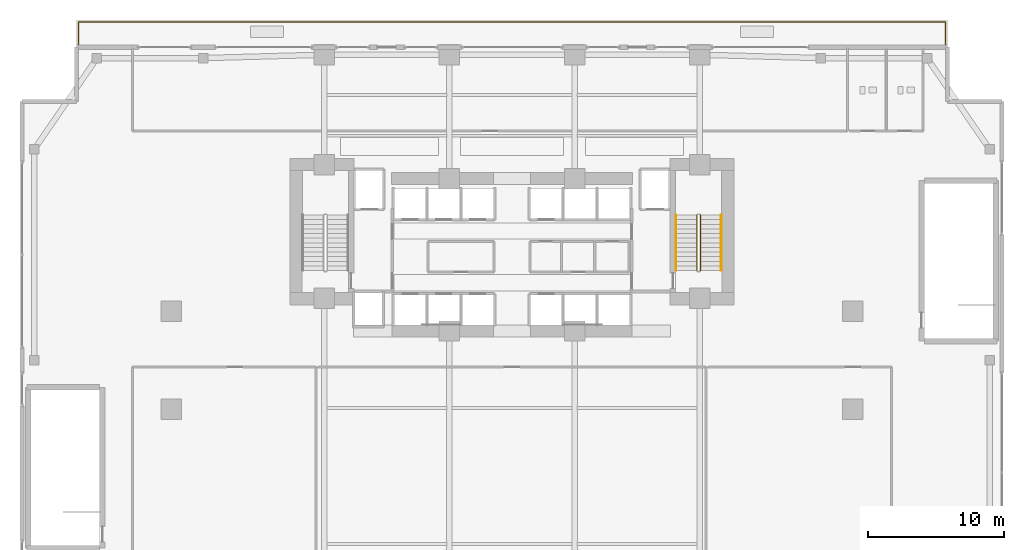
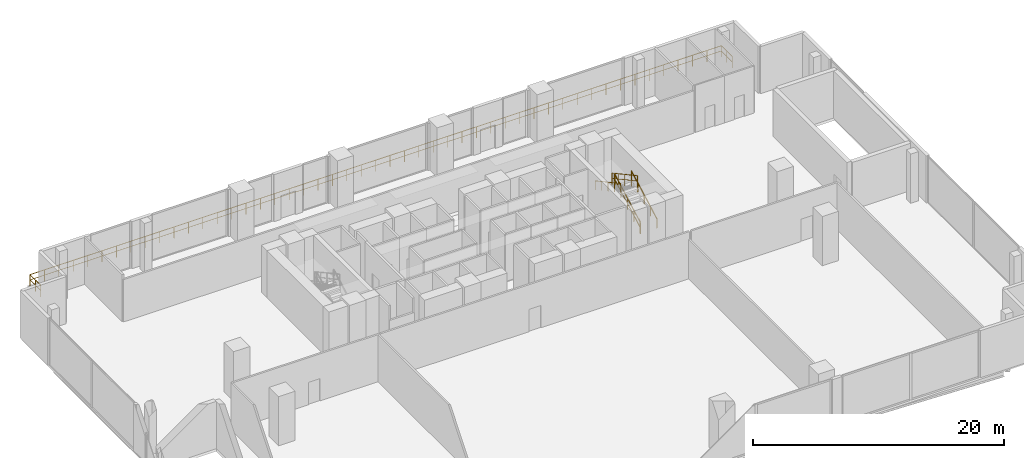
# One storey, part 26 of 28: 5 railings.
"""IFC4 building model written with IfcOpenShell, lengths in metres."""

import ifcopenshell
import ifcopenshell.guid

model = None  # the IFC model being written
_history = None  # IfcOwnerHistory: only IFC2X3 demands one
_inside = {}  # id of a spatial element -> (the spatial element, [elements in it])
_under = {}  # id of a project, library or spatial element -> (it, [spatial elements below it])
_declared = {}  # id of a project -> (the project, [libraries it declares])
_typed = {}  # id of a type object -> (the type object, [elements of that type])
_made_of = {}  # id of a material, layer set ... -> (it, [elements and type objects made of it])


def new_model(schema):
    """Start an empty IFC model of exactly this schema.

    Asked for "IFC4X3", IfcOpenShell would pick the latest addendum, in which some entities
    have other attributes; the version numbers below select the first issue.
    IFC2X3 requires an IfcOwnerHistory on every rooted entity: one is made here for all.
    """
    global model, _history
    if schema == "IFC4X3":
        model = ifcopenshell.file(schema_version=(4, 3, 0, 0))
    else:
        model = ifcopenshell.file(schema=schema)
    _inside.clear()
    _under.clear()
    _declared.clear()
    _typed.clear()
    _made_of.clear()
    _history = None
    if model.schema == "IFC2X3":
        org = make("IfcOrganization", Name="unknown")
        user = make(
            "IfcPersonAndOrganization",
            ThePerson=make("IfcPerson", FamilyName="unknown"),
            TheOrganization=org,
        )
        app = make(
            "IfcApplication",
            ApplicationDeveloper=org,
            Version="unknown",
            ApplicationFullName="unknown",
            ApplicationIdentifier="unknown",
        )
        _history = make(
            "IfcOwnerHistory",
            OwningUser=user,
            OwningApplication=app,
            ChangeAction="ADDED",
            CreationDate=0,
        )
    return model


def make(cls, **values):
    """One entity of the class cls with the attributes given. An attribute that is None is left unset."""
    return model.create_entity(
        cls, **{name: value for name, value in values.items() if value is not None}
    )


def rooted(cls, **values):
    """An entity with a GlobalId (a new one), such as an element, a storey or a relation."""
    return make(cls, GlobalId=ifcopenshell.guid.new(), OwnerHistory=_history, **values)


def si_unit(unit_type, name, prefix=None):
    """IfcSIUnit, for example si_unit("LENGTHUNIT", "METRE", prefix="MILLI")."""
    return make("IfcSIUnit", UnitType=unit_type, Prefix=prefix, Name=name)


def assignment(units):
    """IfcUnitAssignment: the units of a project."""
    return None if units is None else make("IfcUnitAssignment", Units=units)


def point(xyz):
    """IfcCartesianPoint."""
    return None if xyz is None else make("IfcCartesianPoint", Coordinates=xyz)


def direction(xyz):
    """IfcDirection."""
    return None if xyz is None else make("IfcDirection", DirectionRatios=xyz)


def frame(location, z_axis=None, x_axis=None):
    """IfcAxis2Placement3D, a coordinate frame: its origin and axes. An axis left out is left unset."""
    return make(
        "IfcAxis2Placement3D",
        Location=point(location),
        Axis=direction(z_axis),
        RefDirection=direction(x_axis),
    )


def frame_2d(location, x_axis=None):
    """IfcAxis2Placement2D, a coordinate frame in the plane: its origin and x axis."""
    return make(
        "IfcAxis2Placement2D", Location=point(location), RefDirection=direction(x_axis)
    )


def origin():
    """The frame at (0, 0, 0) with its axes left unset."""
    return frame((0.0, 0.0, 0.0))


def origin_2d():
    """The frame at (0, 0) in the plane with its x axis left unset."""
    return frame_2d((0.0, 0.0))


def place(relative_to, where):
    """IfcLocalPlacement: puts the frame where relative to a parent placement (None: the world)."""
    return make(
        "IfcLocalPlacement", PlacementRelTo=relative_to, RelativePlacement=where
    )


def context(
    kind, dimensions, precision=None, world=None, true_north=None, identifier=None
):
    """IfcGeometricRepresentationContext, for example the 3D "Model" context."""
    return make(
        "IfcGeometricRepresentationContext",
        ContextIdentifier=identifier,
        ContextType=kind,
        CoordinateSpaceDimension=dimensions,
        Precision=precision,
        WorldCoordinateSystem=world,
        TrueNorth=true_north,
    )


def subcontext(parent, identifier, kind, view, scale=None):
    """IfcGeometricRepresentationSubContext, for example "Body" below "Model"."""
    return make(
        "IfcGeometricRepresentationSubContext",
        ContextIdentifier=identifier,
        ContextType=kind,
        ParentContext=parent,
        TargetScale=scale,
        TargetView=view,
    )


def project(units=None, contexts=None):
    """IfcProject with its units and contexts."""
    return rooted(
        "IfcProject",
        Name="project",
        RepresentationContexts=contexts,
        UnitsInContext=assignment(units),
    )


def spatial(cls, under=None, at=None, **own):
    """A site, building, storey or space (cls), placed at a placement, below another one or the project."""
    s = rooted(cls, ObjectPlacement=at, **own)
    if under is not None:
        _under.setdefault(under.id(), (under, []))[1].append(s)
    return s


def profile(cls, at=None, kind="AREA", **sizes):
    """A parametric profile (cls). Its sizes go by their IFC names, for example OverallWidth=200.0."""
    return make(cls, ProfileType=kind, Position=at, **sizes)


def rectangle(**sizes):
    """IfcRectangleProfileDef."""
    return profile("IfcRectangleProfileDef", **sizes)


def extrude(swept, where, along, depth):
    """IfcExtrudedAreaSolid: the profile swept, set in the frame where, extruded along a direction by depth."""
    return make(
        "IfcExtrudedAreaSolid",
        SweptArea=swept,
        Position=where,
        ExtrudedDirection=direction(along),
        Depth=depth,
    )


def shape(context_of_items, identifier, shape_type, items):
    """IfcShapeRepresentation: the items that make up one representation, for example the "Body"."""
    return make(
        "IfcShapeRepresentation",
        ContextOfItems=context_of_items,
        RepresentationIdentifier=identifier,
        RepresentationType=shape_type,
        Items=items,
    )


def material(Name=None, Category=None):
    """IfcMaterial."""
    return make("IfcMaterial", Name=Name, Category=Category)


def made_of(thing, what):
    """Note that an element or type object is made of a material, layer set ...; save() writes the relation."""
    if what is not None:
        _made_of.setdefault(what.id(), (what, []))[1].append(thing)
    return thing


def type_object(cls, material=None, **own):
    """A type object (cls), such as IfcWallType, which elements share."""
    return made_of(rooted(cls, **own), material)


def element(
    cls,
    number,
    at=None,
    inside=None,
    cuts=None,
    type_object=None,
    material=None,
    context=None,
    identifier="Body",
    shape_type=None,
    held_by="IfcProductDefinitionShape",
    body=None,
    shapes=None,
    **own,
):
    """One element of the class cls, such as IfcWall. Its Tag is "e" and its number.

    at: its placement. inside: the storey or other place that contains it. cuts: it is an
    opening in that element (IfcRelVoidsElement). A single representation is given by context,
    identifier, shape_type and body (its items); several are given by shapes. held_by: the class
    of the entity that holds the representations. save() writes the other relations.
    """
    e = rooted(cls, Tag="e%d" % number, ObjectPlacement=at, **own)
    if body is not None:
        shapes = [shape(context, identifier, shape_type, body)]
    if shapes is not None:
        e.Representation = make(held_by, Representations=shapes)
    if inside is not None:
        _inside.setdefault(inside.id(), (inside, []))[1].append(e)
    if cuts is not None:
        rooted(
            "IfcRelVoidsElement", RelatingBuildingElement=cuts, RelatedOpeningElement=e
        )
    if type_object is not None:
        _typed.setdefault(type_object.id(), (type_object, []))[1].append(e)
    return made_of(e, material)


def aggregate(whole, parts):
    """IfcRelAggregates: a whole, such as a stair, and the parts it consists of."""
    return rooted("IfcRelAggregates", RelatingObject=whole, RelatedObjects=parts)


def save(model, path):
    """Write the relations noted so far, then the file.

    IfcRelAggregates (storeys below a building ...), IfcRelContainedInSpatialStructure (elements
    in a storey), IfcRelDefinesByType, IfcRelAssociatesMaterial and IfcRelDeclares: one each for
    every whole, place, type object, material and project.
    """
    for whole, parts in _under.values():
        aggregate(whole, parts)
    for where, things in _inside.values():
        rooted(
            "IfcRelContainedInSpatialStructure",
            RelatedElements=things,
            RelatingStructure=where,
        )
    for kind, things in _typed.values():
        rooted("IfcRelDefinesByType", RelatedObjects=things, RelatingType=kind)
    for what, things in _made_of.values():
        rooted("IfcRelAssociatesMaterial", RelatedObjects=things, RelatingMaterial=what)
    for by, libraries in _declared.values():
        rooted("IfcRelDeclares", RelatingContext=by, RelatedDefinitions=libraries)
    model.write(path)


model = new_model("IFC4")

# Units and contexts
model_context = context("Model", 3, precision=1e-05, world=origin(), true_north=direction((0.0, 1.0)))
body_context = subcontext(model_context, "Body", "Model", "MODEL_VIEW")
ifc_project = project(units=[si_unit("LENGTHUNIT", "METRE"), si_unit("AREAUNIT", "SQUARE_METRE"), si_unit("VOLUMEUNIT", "CUBIC_METRE"), si_unit("PLANEANGLEUNIT", "RADIAN"), si_unit("MASSUNIT", "GRAM", prefix="KILO")], contexts=[model_context])

# Site, building, storey
site_placement = place(None, origin())
site = spatial("IfcSite", under=ifc_project, at=site_placement, CompositionType="ELEMENT")
building_placement = place(site_placement, origin())
building = spatial("IfcBuilding", under=site, at=building_placement, Name="Zuhayl Quay Hotel", CompositionType="ELEMENT")
storey_placement = place(building_placement, frame((0.0, 0.0, 22.800048828125)))
storey = spatial("IfcBuildingStorey", under=building, at=storey_placement, Name="L04", CompositionType="ELEMENT", Elevation=22.800048828125)

# Railings
ifc_material_1 = material(Name="Anodised Aluminium and Laminated Glass", Category="aluminium")
railing_type_1 = type_object("IfcRailingType", Name="RL_EXT_BAL_1100", PredefinedType="BALUSTRADE", material=ifc_material_1)
railing_1_placement = place(storey_placement, frame((-31.85009765625, 23.1201171875, 0.0)))
element("IfcRailing", 1, at=railing_1_placement, inside=storey, type_object=railing_type_1, Name="L04 Balcony and Terrace Guard GR_L04_TERR", PredefinedType="BALUSTRADE", context=body_context, shape_type="SweptSolid", body=[
    extrude(rectangle(XDim=0.048095703125, YDim=0.048095703125, at=origin_2d()), frame((0.0, 0.0, 1.09619140625), z_axis=(0.0, 1.0, 0.0), x_axis=(-1.0, 0.0, 0.0)), (0.0, 0.0, 1.0), 1.72998046875),
    extrude(rectangle(XDim=0.0361328125, YDim=0.0361328125, at=origin_2d()), frame((0.0, 0.0, 0.58251953125), z_axis=(0.0, 1.0, 0.0), x_axis=(-1.0, 0.0, 0.0)), (0.0, 0.0, 1.0), 1.72998046875),
    extrude(rectangle(XDim=0.048095703125, YDim=0.048095703125, at=origin_2d()), frame((0.0, 1.72998046875, 1.09619140625), z_axis=(1.0, 0.0, 0.0), x_axis=(0.0, 1.0, 0.0)), (0.0, 0.0, 1.0), 63.7001953125),
    extrude(rectangle(XDim=0.0361328125, YDim=0.0361328125, at=origin_2d()), frame((0.0, 1.72998046875, 0.58251953125), z_axis=(1.0, 0.0, 0.0), x_axis=(0.0, 1.0, 0.0)), (0.0, 0.0, 1.0), 63.7001953125),
    extrude(rectangle(XDim=0.048095703125, YDim=0.048095703125, at=origin_2d()), frame((63.7001953125, 1.72998046875, 1.09619140625), z_axis=(0.0, -1.0, 0.0), x_axis=(1.0, 0.0, 0.0)), (0.0, 0.0, 1.0), 1.72998046875),
    extrude(rectangle(XDim=0.0361328125, YDim=0.0361328125, at=origin_2d()), frame((63.7001953125, 1.72998046875, 0.58251953125), z_axis=(0.0, -1.0, 0.0), x_axis=(1.0, 0.0, 0.0)), (0.0, 0.0, 1.0), 1.72998046875),
    extrude(rectangle(XDim=0.0419921875, YDim=0.0419921875, at=origin_2d()), origin(), (0.0, 0.0, 1.0), 1.072021484375),
    extrude(rectangle(XDim=0.0419921875, YDim=0.0419921875, at=origin_2d()), frame((0.0, 0.864990234375, 0.0)), (0.0, 0.0, 1.0), 1.072021484375),
    extrude(rectangle(XDim=0.0419921875, YDim=0.0419921875, at=origin_2d()), frame((0.0, 1.72998046875, 0.0)), (0.0, 0.0, 1.0), 1.072021484375),
    extrude(rectangle(XDim=0.0419921875, YDim=0.0419921875, at=origin_2d()), frame((1.3271484375, 1.72998046875, 0.0)), (0.0, 0.0, 1.0), 1.072021484375),
    extrude(rectangle(XDim=0.0419921875, YDim=0.0419921875, at=origin_2d()), frame((2.654296875, 1.72998046875, 0.0)), (0.0, 0.0, 1.0), 1.072021484375),
    extrude(rectangle(XDim=0.0419921875, YDim=0.0419921875, at=origin_2d()), frame((3.981201171875, 1.72998046875, 0.0)), (0.0, 0.0, 1.0), 1.072021484375),
    extrude(rectangle(XDim=0.0419921875, YDim=0.0419921875, at=origin_2d()), frame((5.308349609375, 1.72998046875, 0.0)), (0.0, 0.0, 1.0), 1.072021484375),
    extrude(rectangle(XDim=0.0419921875, YDim=0.0419921875, at=origin_2d()), frame((6.635498046875, 1.72998046875, 0.0)), (0.0, 0.0, 1.0), 1.072021484375),
    extrude(rectangle(XDim=0.0419921875, YDim=0.0419921875, at=origin_2d()), frame((7.96240234375, 1.72998046875, 0.0)), (0.0, 0.0, 1.0), 1.072021484375),
    extrude(rectangle(XDim=0.0419921875, YDim=0.0419921875, at=origin_2d()), frame((9.28955078125, 1.72998046875, 0.0)), (0.0, 0.0, 1.0), 1.072021484375),
    extrude(rectangle(XDim=0.0419921875, YDim=0.0419921875, at=origin_2d()), frame((10.61669921875, 1.72998046875, 0.0)), (0.0, 0.0, 1.0), 1.072021484375),
    extrude(rectangle(XDim=0.0419921875, YDim=0.0419921875, at=origin_2d()), frame((11.94384765625, 1.72998046875, 0.0)), (0.0, 0.0, 1.0), 1.072021484375),
    extrude(rectangle(XDim=0.0419921875, YDim=0.0419921875, at=origin_2d()), frame((13.27099609375, 1.72998046875, 0.0)), (0.0, 0.0, 1.0), 1.072021484375),
    extrude(rectangle(XDim=0.0419921875, YDim=0.0419921875, at=origin_2d()), frame((14.597900390625, 1.72998046875, 0.0)), (0.0, 0.0, 1.0), 1.072021484375),
    extrude(rectangle(XDim=0.0419921875, YDim=0.0419921875, at=origin_2d()), frame((15.925048828125, 1.72998046875, 0.0)), (0.0, 0.0, 1.0), 1.072021484375),
    extrude(rectangle(XDim=0.0419921875, YDim=0.0419921875, at=origin_2d()), frame((17.252197265625, 1.72998046875, 0.0)), (0.0, 0.0, 1.0), 1.072021484375),
    extrude(rectangle(XDim=0.0419921875, YDim=0.0419921875, at=origin_2d()), frame((18.5791015625, 1.72998046875, 0.0)), (0.0, 0.0, 1.0), 1.072021484375),
    extrude(rectangle(XDim=0.0419921875, YDim=0.0419921875, at=origin_2d()), frame((19.90625, 1.72998046875, 0.0)), (0.0, 0.0, 1.0), 1.072021484375),
    extrude(rectangle(XDim=0.0419921875, YDim=0.0419921875, at=origin_2d()), frame((21.2333984375, 1.72998046875, 0.0)), (0.0, 0.0, 1.0), 1.072021484375),
    extrude(rectangle(XDim=0.0419921875, YDim=0.0419921875, at=origin_2d()), frame((22.560546875, 1.72998046875, 0.0)), (0.0, 0.0, 1.0), 1.072021484375),
    extrude(rectangle(XDim=0.0419921875, YDim=0.0419921875, at=origin_2d()), frame((23.8876953125, 1.72998046875, 0.0)), (0.0, 0.0, 1.0), 1.072021484375),
    extrude(rectangle(XDim=0.0419921875, YDim=0.0419921875, at=origin_2d()), frame((25.214599609375, 1.72998046875, 0.0)), (0.0, 0.0, 1.0), 1.072021484375),
    extrude(rectangle(XDim=0.0419921875, YDim=0.0419921875, at=origin_2d()), frame((26.541748046875, 1.72998046875, 0.0)), (0.0, 0.0, 1.0), 1.072021484375),
    extrude(rectangle(XDim=0.0419921875, YDim=0.0419921875, at=origin_2d()), frame((27.868896484375, 1.72998046875, 0.0)), (0.0, 0.0, 1.0), 1.072021484375),
    extrude(rectangle(XDim=0.0419921875, YDim=0.0419921875, at=origin_2d()), frame((29.19580078125, 1.72998046875, 0.0)), (0.0, 0.0, 1.0), 1.072021484375),
    extrude(rectangle(XDim=0.0419921875, YDim=0.0419921875, at=origin_2d()), frame((30.52294921875, 1.72998046875, 0.0)), (0.0, 0.0, 1.0), 1.072021484375),
    extrude(rectangle(XDim=0.0419921875, YDim=0.0419921875, at=origin_2d()), frame((31.85009765625, 1.72998046875, 0.0)), (0.0, 0.0, 1.0), 1.072021484375),
    extrude(rectangle(XDim=0.0419921875, YDim=0.0419921875, at=origin_2d()), frame((33.17724609375, 1.72998046875, 0.0)), (0.0, 0.0, 1.0), 1.072021484375),
    extrude(rectangle(XDim=0.0419921875, YDim=0.0419921875, at=origin_2d()), frame((34.50439453125, 1.72998046875, 0.0)), (0.0, 0.0, 1.0), 1.072021484375),
    extrude(rectangle(XDim=0.0419921875, YDim=0.0419921875, at=origin_2d()), frame((35.831298828125, 1.72998046875, 0.0)), (0.0, 0.0, 1.0), 1.072021484375),
    extrude(rectangle(XDim=0.0419921875, YDim=0.0419921875, at=origin_2d()), frame((37.158447265625, 1.72998046875, 0.0)), (0.0, 0.0, 1.0), 1.072021484375),
    extrude(rectangle(XDim=0.0419921875, YDim=0.0419921875, at=origin_2d()), frame((38.485595703125, 1.72998046875, 0.0)), (0.0, 0.0, 1.0), 1.072021484375),
    extrude(rectangle(XDim=0.0419921875, YDim=0.0419921875, at=origin_2d()), frame((39.8125, 1.72998046875, 0.0)), (0.0, 0.0, 1.0), 1.072021484375),
    extrude(rectangle(XDim=0.0419921875, YDim=0.0419921875, at=origin_2d()), frame((41.1396484375, 1.72998046875, 0.0)), (0.0, 0.0, 1.0), 1.072021484375),
    extrude(rectangle(XDim=0.0419921875, YDim=0.0419921875, at=origin_2d()), frame((42.466796875, 1.72998046875, 0.0)), (0.0, 0.0, 1.0), 1.072021484375),
    extrude(rectangle(XDim=0.0419921875, YDim=0.0419921875, at=origin_2d()), frame((43.7939453125, 1.72998046875, 0.0)), (0.0, 0.0, 1.0), 1.072021484375),
    extrude(rectangle(XDim=0.0419921875, YDim=0.0419921875, at=origin_2d()), frame((45.12109375, 1.72998046875, 0.0)), (0.0, 0.0, 1.0), 1.072021484375),
    extrude(rectangle(XDim=0.0419921875, YDim=0.0419921875, at=origin_2d()), frame((46.447998046875, 1.72998046875, 0.0)), (0.0, 0.0, 1.0), 1.072021484375),
    extrude(rectangle(XDim=0.0419921875, YDim=0.0419921875, at=origin_2d()), frame((47.775146484375, 1.72998046875, 0.0)), (0.0, 0.0, 1.0), 1.072021484375),
    extrude(rectangle(XDim=0.0419921875, YDim=0.0419921875, at=origin_2d()), frame((49.102294921875, 1.72998046875, 0.0)), (0.0, 0.0, 1.0), 1.072021484375),
    extrude(rectangle(XDim=0.0419921875, YDim=0.0419921875, at=origin_2d()), frame((50.42919921875, 1.72998046875, 0.0)), (0.0, 0.0, 1.0), 1.072021484375),
    extrude(rectangle(XDim=0.0419921875, YDim=0.0419921875, at=origin_2d()), frame((51.75634765625, 1.72998046875, 0.0)), (0.0, 0.0, 1.0), 1.072021484375),
    extrude(rectangle(XDim=0.0419921875, YDim=0.0419921875, at=origin_2d()), frame((53.08349609375, 1.72998046875, 0.0)), (0.0, 0.0, 1.0), 1.072021484375),
    extrude(rectangle(XDim=0.0419921875, YDim=0.0419921875, at=origin_2d()), frame((54.41064453125, 1.72998046875, 0.0)), (0.0, 0.0, 1.0), 1.072021484375),
    extrude(rectangle(XDim=0.0419921875, YDim=0.0419921875, at=origin_2d()), frame((55.73779296875, 1.72998046875, 0.0)), (0.0, 0.0, 1.0), 1.072021484375),
    extrude(rectangle(XDim=0.0419921875, YDim=0.0419921875, at=origin_2d()), frame((57.064697265625, 1.72998046875, 0.0)), (0.0, 0.0, 1.0), 1.072021484375),
    extrude(rectangle(XDim=0.0419921875, YDim=0.0419921875, at=origin_2d()), frame((58.391845703125, 1.72998046875, 0.0)), (0.0, 0.0, 1.0), 1.072021484375),
    extrude(rectangle(XDim=0.0419921875, YDim=0.0419921875, at=origin_2d()), frame((59.718994140625, 1.72998046875, 0.0)), (0.0, 0.0, 1.0), 1.072021484375),
    extrude(rectangle(XDim=0.0419921875, YDim=0.0419921875, at=origin_2d()), frame((61.0458984375, 1.72998046875, 0.0)), (0.0, 0.0, 1.0), 1.072021484375),
    extrude(rectangle(XDim=0.0419921875, YDim=0.0419921875, at=origin_2d()), frame((62.373046875, 1.72998046875, 0.0)), (0.0, 0.0, 1.0), 1.072021484375),
    extrude(rectangle(XDim=0.0419921875, YDim=0.0419921875, at=origin_2d()), frame((63.7001953125, 1.72998046875, 0.0)), (0.0, 0.0, 1.0), 1.072021484375),
    extrude(rectangle(XDim=0.0419921875, YDim=0.0419921875, at=origin_2d()), frame((63.7001953125, 0.864990234375, 0.0)), (0.0, 0.0, 1.0), 1.072021484375),
    extrude(rectangle(XDim=0.0419921875, YDim=0.0419921875, at=origin_2d()), frame((63.7001953125, 0.0, 0.0)), (0.0, 0.0, 1.0), 1.072021484375),
])
ifc_material_2 = material(Name="Steel ASTM A992 Grade 50", Category="steel")
railing_type_2 = type_object("IfcRailingType", Name="RL_GUARD_1100", PredefinedType="GUARDRAIL", material=ifc_material_2)
railing_2_placement = place(storey_placement, frame((13.840087890625, 6.590087890625, 0.1845703125)))
element("IfcRailing", 2, at=railing_2_placement, inside=storey, type_object=railing_type_2, Name="L04 ST2 stair guard 1", PredefinedType="GUARDRAIL", context=body_context, shape_type="SweptSolid", body=[
    extrude(rectangle(XDim=0.048095703125, YDim=0.048095703125, at=origin_2d()), frame((0.0, 0.0, 1.09619140625), z_axis=(0.0, 0.878802396796, 0.477185862517), x_axis=(-1.0, 0.0, 0.0)), (0.0, 0.0, 1.0), 4.642578125),
    extrude(rectangle(XDim=0.0361328125, YDim=0.0361328125, at=origin_2d()), frame((0.0, 0.0, 0.58251953125), z_axis=(0.0, 0.878802396796, 0.477185862517), x_axis=(-1.0, 0.0, 0.0)), (0.0, 0.0, 1.0), 4.642578125),
    extrude(rectangle(XDim=0.0419921875, YDim=0.0419921875, at=origin_2d()), origin(), (0.0, 0.0, 1.0), 1.072021484375),
    extrude(rectangle(XDim=0.0419921875, YDim=0.0419921875, at=origin_2d()), frame((0.0, 1.02001953125, 0.5537109375)), (0.0, 0.0, 1.0), 1.072021484375),
    extrude(rectangle(XDim=0.0419921875, YDim=0.0419921875, at=origin_2d()), frame((0.0, 2.0400390625, 1.107666015625)), (0.0, 0.0, 1.0), 1.072021484375),
    extrude(rectangle(XDim=0.0419921875, YDim=0.0419921875, at=origin_2d()), frame((0.0, 3.059814453125, 1.66162109375)), (0.0, 0.0, 1.0), 1.072021484375),
    extrude(rectangle(XDim=0.0419921875, YDim=0.0419921875, at=origin_2d()), frame((0.0, 4.079833984375, 2.21533203125)), (0.0, 0.0, 1.0), 1.072021484375),
])
railing_3_placement = place(storey_placement, frame((13.590087890625, 10.669921875, 2.58447265625)))
element("IfcRailing", 3, at=railing_3_placement, inside=storey, type_object=railing_type_2, Name="L04 ST2 stair guard 3", PredefinedType="GUARDRAIL", context=body_context, shape_type="SweptSolid", body=[
    extrude(rectangle(XDim=0.048095703125, YDim=0.048095703125, at=origin_2d()), frame((0.0, 0.0, 1.09619140625), z_axis=(0.0, -0.878780343415, 0.477226474567), x_axis=(1.0, 0.0, 0.0)), (0.0, 0.0, 1.0), 4.642578125),
    extrude(rectangle(XDim=0.0361328125, YDim=0.0361328125, at=origin_2d()), frame((0.0, 0.0, 0.58251953125), z_axis=(0.0, -0.878780343415, 0.477226474567), x_axis=(1.0, 0.0, 0.0)), (0.0, 0.0, 1.0), 4.642578125),
    extrude(rectangle(XDim=0.0419921875, YDim=0.0419921875, at=origin_2d()), origin(), (0.0, 0.0, 1.0), 1.072021484375),
    extrude(rectangle(XDim=0.0419921875, YDim=0.0419921875, at=origin_2d()), frame((0.0, -1.02001953125, 0.553955078125)), (0.0, 0.0, 1.0), 1.072021484375),
    extrude(rectangle(XDim=0.0419921875, YDim=0.0419921875, at=origin_2d()), frame((0.0, -2.0400390625, 1.10791015625)), (0.0, 0.0, 1.0), 1.072021484375),
    extrude(rectangle(XDim=0.0419921875, YDim=0.0419921875, at=origin_2d()), frame((0.0, -3.059814453125, 1.66162109375)), (0.0, 0.0, 1.0), 1.072021484375),
    extrude(rectangle(XDim=0.0419921875, YDim=0.0419921875, at=origin_2d()), frame((0.0, -4.079833984375, 2.215576171875)), (0.0, 0.0, 1.0), 1.072021484375),
])
railing_type_3 = type_object("IfcRailingType", Name="RL_HANDRAIL_920", PredefinedType="HANDRAIL", material=ifc_material_2)
railing_4_placement = place(storey_placement, frame((15.3798828125, 6.590087890625, 0.1845703125)))
element("IfcRailing", 4, at=railing_4_placement, inside=storey, type_object=railing_type_3, Name="L04 ST2 stair handrail 1", PredefinedType="HANDRAIL", context=body_context, shape_type="SweptSolid", body=[
    extrude(rectangle(XDim=0.048095703125, YDim=0.048095703125, at=origin_2d()), frame((0.0, 0.0, 0.8759765625), z_axis=(0.0, 0.878802396796, 0.477185862517), x_axis=(-1.0, 0.0, 0.0)), (0.0, 0.0, 1.0), 4.642578125),
    extrude(rectangle(XDim=0.0419921875, YDim=0.0419921875, at=origin_2d()), origin(), (0.0, 0.0, 1.0), 0.851806640625),
    extrude(rectangle(XDim=0.0419921875, YDim=0.0419921875, at=origin_2d()), frame((0.0, 1.02001953125, 0.5537109375)), (0.0, 0.0, 1.0), 0.851806640625),
    extrude(rectangle(XDim=0.0419921875, YDim=0.0419921875, at=origin_2d()), frame((0.0, 2.0400390625, 1.107666015625)), (0.0, 0.0, 1.0), 0.851806640625),
    extrude(rectangle(XDim=0.0419921875, YDim=0.0419921875, at=origin_2d()), frame((0.0, 3.059814453125, 1.66162109375)), (0.0, 0.0, 1.0), 0.851806640625),
    extrude(rectangle(XDim=0.0419921875, YDim=0.0419921875, at=origin_2d()), frame((0.0, 4.079833984375, 2.21533203125)), (0.0, 0.0, 1.0), 0.851806640625),
])
railing_5_placement = place(storey_placement, frame((12.050048828125, 10.669921875, 2.58447265625)))
element("IfcRailing", 5, at=railing_5_placement, inside=storey, type_object=railing_type_3, Name="L04 ST2 stair handrail 2", PredefinedType="HANDRAIL", context=body_context, shape_type="SweptSolid", body=[
    extrude(rectangle(XDim=0.048095703125, YDim=0.048095703125, at=origin_2d()), frame((0.0, 0.0, 0.8759765625), z_axis=(0.0, -0.878780343415, 0.477226474567), x_axis=(1.0, 0.0, 0.0)), (0.0, 0.0, 1.0), 4.642578125),
    extrude(rectangle(XDim=0.0419921875, YDim=0.0419921875, at=origin_2d()), origin(), (0.0, 0.0, 1.0), 0.851806640625),
    extrude(rectangle(XDim=0.0419921875, YDim=0.0419921875, at=origin_2d()), frame((0.0, -1.02001953125, 0.553955078125)), (0.0, 0.0, 1.0), 0.851806640625),
    extrude(rectangle(XDim=0.0419921875, YDim=0.0419921875, at=origin_2d()), frame((0.0, -2.0400390625, 1.10791015625)), (0.0, 0.0, 1.0), 0.851806640625),
    extrude(rectangle(XDim=0.0419921875, YDim=0.0419921875, at=origin_2d()), frame((0.0, -3.059814453125, 1.66162109375)), (0.0, 0.0, 1.0), 0.851806640625),
    extrude(rectangle(XDim=0.0419921875, YDim=0.0419921875, at=origin_2d()), frame((0.0, -4.079833984375, 2.215576171875)), (0.0, 0.0, 1.0), 0.851806640625),
])

save(model, "model.ifc")
